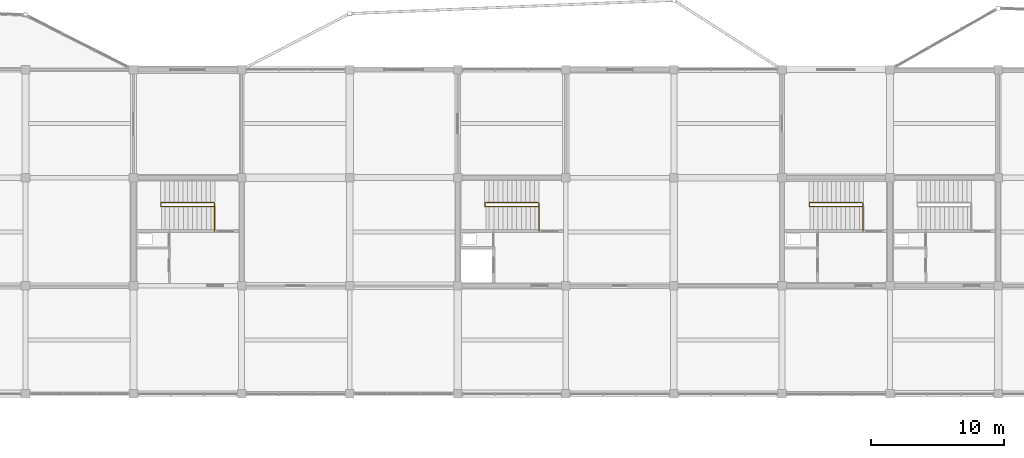
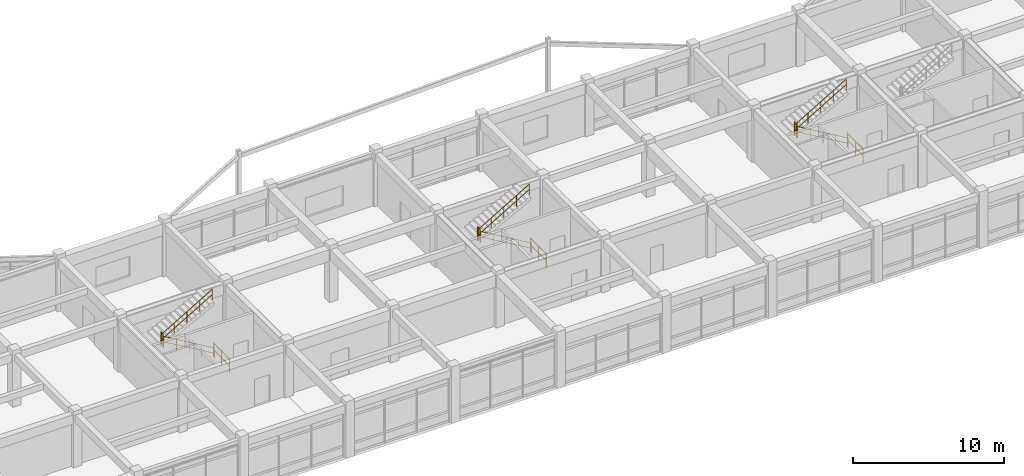
# One storey, part 88 of 93: 12 railings.
"""IFC4 building model written with IfcOpenShell, lengths in metres."""

from ifc_helpers import new_model, si_unit, direction, frame, origin, origin_2d, place, context, subcontext, project, spatial, circle, extrude, material, type_object, element, save


model = new_model("IFC4")

# Units and contexts
model_context = context("Model", 3, precision=1e-05, world=origin(), true_north=direction((0.0, 1.0)))
body_context = subcontext(model_context, "Body", "Model", "MODEL_VIEW")
ifc_project = project(units=[si_unit("LENGTHUNIT", "METRE"), si_unit("AREAUNIT", "SQUARE_METRE"), si_unit("VOLUMEUNIT", "CUBIC_METRE"), si_unit("PLANEANGLEUNIT", "RADIAN"), si_unit("MASSUNIT", "GRAM", prefix="KILO")], contexts=[model_context])

# Site, building, storey
site_placement = place(None, origin())
site = spatial("IfcSite", under=ifc_project, at=site_placement, CompositionType="ELEMENT")
building_placement = place(site_placement, origin())
building = spatial("IfcBuilding", under=site, at=building_placement, Name="Vaudrelin Polytechnic", CompositionType="ELEMENT")
storey_placement = place(building_placement, frame((0.0, 0.0, 5.10009765625)))
storey = spatial("IfcBuildingStorey", under=building, at=storey_placement, Name="L01", CompositionType="ELEMENT", Elevation=5.10009765625)

# Railings
ifc_material = material(Name="Brushed stainless steel AISI 304", Category="steel")
railing_type_1 = type_object("IfcRailingType", Name="RAL-GR-INT", PredefinedType="GUARDRAIL", material=ifc_material)
railing_1_placement = place(storey_placement, frame((87.080078125, 109.409912109375, 0.0)))
element("IfcRailing", 1, at=railing_1_placement, inside=storey, type_object=railing_type_1, Name="ST-02-L00 upper well guardrail", PredefinedType="GUARDRAIL", context=body_context, shape_type="SweptSolid", body=[
    extrude(circle(Radius=0.02392578125, at=origin_2d()), frame((0.0, 0.023193359375, 1.09619140625), z_axis=(0.0, 1.0, 0.0), x_axis=(-1.0, 0.0, 0.0)), (0.0, 0.0, 1.0), 2.02392578125),
    extrude(circle(Radius=0.02392578125, at=origin_2d()), frame((0.0, 0.023193359375, 0.56005859375), z_axis=(0.0, 1.0, 0.0), x_axis=(-1.0, 0.0, 0.0)), (0.0, 0.0, 1.0), 2.02392578125),
    extrude(circle(Radius=0.02099609375, at=origin_2d()), origin(), (0.0, 0.0, 1.0), 1.1201171875),
    extrude(circle(Radius=0.02099609375, at=origin_2d()), frame((0.0, 1.03515625, 0.0)), (0.0, 0.0, 1.0), 1.1201171875),
    extrude(circle(Radius=0.02099609375, at=origin_2d()), frame((0.0, 2.070068359375, 0.0)), (0.0, 0.0, 1.0), 1.1201171875),
])
railing_2_placement = place(storey_placement, frame((83.050048828125, 111.239990234375, 2.294921875)))
element("IfcRailing", 2, at=railing_2_placement, inside=storey, type_object=railing_type_1, Name="ST-02-L01 landing well guardrail", PredefinedType="GUARDRAIL", context=body_context, shape_type="SweptSolid", body=[
    extrude(circle(Radius=0.02392578125, at=origin_2d()), frame((0.0, 0.023193359375, 1.09619140625), z_axis=(0.0, 1.0, 0.0), x_axis=(-1.0, 0.0, 0.0)), (0.0, 0.0, 1.0), 0.23388671875),
    extrude(circle(Radius=0.02392578125, at=origin_2d()), frame((0.0, 0.023193359375, 0.56005859375), z_axis=(0.0, 1.0, 0.0), x_axis=(-1.0, 0.0, 0.0)), (0.0, 0.0, 1.0), 0.23388671875),
    extrude(circle(Radius=0.02099609375, at=origin_2d()), origin(), (0.0, 0.0, 1.0), 1.1201171875),
    extrude(circle(Radius=0.02099609375, at=origin_2d()), frame((0.0, 0.280029296875, 0.0)), (0.0, 0.0, 1.0), 1.1201171875),
])
railing_3_placement = place(storey_placement, frame((62.780029296875, 109.409912109375, 0.0)))
element("IfcRailing", 3, at=railing_3_placement, inside=storey, type_object=railing_type_1, Name="ST-09-L00 upper well guardrail", PredefinedType="GUARDRAIL", context=body_context, shape_type="SweptSolid", body=[
    extrude(circle(Radius=0.02392578125, at=origin_2d()), frame((0.0, 0.023193359375, 1.09619140625), z_axis=(0.0, 1.0, 0.0), x_axis=(-1.0, 0.0, 0.0)), (0.0, 0.0, 1.0), 2.02392578125),
    extrude(circle(Radius=0.02392578125, at=origin_2d()), frame((0.0, 0.023193359375, 0.56005859375), z_axis=(0.0, 1.0, 0.0), x_axis=(-1.0, 0.0, 0.0)), (0.0, 0.0, 1.0), 2.02392578125),
    extrude(circle(Radius=0.02099609375, at=origin_2d()), origin(), (0.0, 0.0, 1.0), 1.1201171875),
    extrude(circle(Radius=0.02099609375, at=origin_2d()), frame((0.0, 1.03515625, 0.0)), (0.0, 0.0, 1.0), 1.1201171875),
    extrude(circle(Radius=0.02099609375, at=origin_2d()), frame((0.0, 2.070068359375, 0.0)), (0.0, 0.0, 1.0), 1.1201171875),
])
railing_4_placement = place(storey_placement, frame((58.75, 111.239990234375, 2.294921875)))
element("IfcRailing", 4, at=railing_4_placement, inside=storey, type_object=railing_type_1, Name="ST-09-L01 landing well guardrail", PredefinedType="GUARDRAIL", context=body_context, shape_type="SweptSolid", body=[
    extrude(circle(Radius=0.02392578125, at=origin_2d()), frame((0.0, 0.023193359375, 1.09619140625), z_axis=(0.0, 1.0, 0.0), x_axis=(-1.0, 0.0, 0.0)), (0.0, 0.0, 1.0), 0.23388671875),
    extrude(circle(Radius=0.02392578125, at=origin_2d()), frame((0.0, 0.023193359375, 0.56005859375), z_axis=(0.0, 1.0, 0.0), x_axis=(-1.0, 0.0, 0.0)), (0.0, 0.0, 1.0), 0.23388671875),
    extrude(circle(Radius=0.02099609375, at=origin_2d()), origin(), (0.0, 0.0, 1.0), 1.1201171875),
    extrude(circle(Radius=0.02099609375, at=origin_2d()), frame((0.0, 0.280029296875, 0.0)), (0.0, 0.0, 1.0), 1.1201171875),
])
railing_5_placement = place(storey_placement, frame((111.3798828125, 109.409912109375, 0.0)))
element("IfcRailing", 5, at=railing_5_placement, inside=storey, type_object=railing_type_1, Name="ST-11-L00 upper well guardrail", PredefinedType="GUARDRAIL", context=body_context, shape_type="SweptSolid", body=[
    extrude(circle(Radius=0.02392578125, at=origin_2d()), frame((0.0, 0.023193359375, 1.09619140625), z_axis=(0.0, 1.0, 0.0), x_axis=(-1.0, 0.0, 0.0)), (0.0, 0.0, 1.0), 2.02392578125),
    extrude(circle(Radius=0.02392578125, at=origin_2d()), frame((0.0, 0.023193359375, 0.56005859375), z_axis=(0.0, 1.0, 0.0), x_axis=(-1.0, 0.0, 0.0)), (0.0, 0.0, 1.0), 2.02392578125),
    extrude(circle(Radius=0.02099609375, at=origin_2d()), origin(), (0.0, 0.0, 1.0), 1.1201171875),
    extrude(circle(Radius=0.02099609375, at=origin_2d()), frame((0.0, 1.03515625, 0.0)), (0.0, 0.0, 1.0), 1.1201171875),
    extrude(circle(Radius=0.02099609375, at=origin_2d()), frame((0.0, 2.070068359375, 0.0)), (0.0, 0.0, 1.0), 1.1201171875),
])
railing_6_placement = place(storey_placement, frame((107.35009765625, 111.239990234375, 2.294921875)))
element("IfcRailing", 6, at=railing_6_placement, inside=storey, type_object=railing_type_1, Name="ST-11-L01 landing well guardrail", PredefinedType="GUARDRAIL", context=body_context, shape_type="SweptSolid", body=[
    extrude(circle(Radius=0.02392578125, at=origin_2d()), frame((0.0, 0.023193359375, 1.09619140625), z_axis=(0.0, 1.0, 0.0), x_axis=(-1.0, 0.0, 0.0)), (0.0, 0.0, 1.0), 0.23388671875),
    extrude(circle(Radius=0.02392578125, at=origin_2d()), frame((0.0, 0.023193359375, 0.56005859375), z_axis=(0.0, 1.0, 0.0), x_axis=(-1.0, 0.0, 0.0)), (0.0, 0.0, 1.0), 0.23388671875),
    extrude(circle(Radius=0.02099609375, at=origin_2d()), origin(), (0.0, 0.0, 1.0), 1.1201171875),
    extrude(circle(Radius=0.02099609375, at=origin_2d()), frame((0.0, 0.280029296875, 0.0)), (0.0, 0.0, 1.0), 1.1201171875),
])
railing_type_2 = type_object("IfcRailingType", Name="RAL-HR-STR", PredefinedType="HANDRAIL", material=ifc_material)
railing_7_placement = place(storey_placement, frame((87.0, 111.22998046875, 0.0)))
element("IfcRailing", 7, at=railing_7_placement, inside=storey, type_object=railing_type_2, Name="ST-02-L01 flight 1 handrail", PredefinedType="HANDRAIL", context=body_context, shape_type="SweptSolid", body=[
    extrude(circle(Radius=0.02392578125, at=origin_2d()), frame((-0.019775390625, 0.0, 0.90771484375), z_axis=(-0.861280376615, 0.0, 0.508130015702), x_axis=(0.0, -1.0, 0.0)), (0.0, 0.0, 1.0), 4.47021484375),
    extrude(circle(Radius=0.02392578125, at=origin_2d()), frame((-0.019775390625, 0.0, 0.4716796875), z_axis=(-0.861280376615, 0.0, 0.508130015702), x_axis=(0.0, -1.0, 0.0)), (0.0, 0.0, 1.0), 4.47021484375),
    extrude(circle(Radius=0.02099609375, at=origin_2d()), origin(), (0.0, 0.0, 1.0), 0.919921875),
    extrude(circle(Radius=0.02099609375, at=origin_2d()), frame((-0.972412109375, 0.0, 0.57373046875)), (0.0, 0.0, 1.0), 0.919921875),
    extrude(circle(Radius=0.02099609375, at=origin_2d()), frame((-1.94482421875, 0.0, 1.1474609375)), (0.0, 0.0, 1.0), 0.919921875),
    extrude(circle(Radius=0.02099609375, at=origin_2d()), frame((-2.91748046875, 0.0, 1.72119140625)), (0.0, 0.0, 1.0), 0.919921875),
    extrude(circle(Radius=0.02099609375, at=origin_2d()), frame((-3.889892578125, 0.0, 2.294921875)), (0.0, 0.0, 1.0), 0.919921875),
])
railing_8_placement = place(storey_placement, frame((83.110107421875, 111.530029296875, 2.294921875)))
element("IfcRailing", 8, at=railing_8_placement, inside=storey, type_object=railing_type_2, Name="ST-02-L01 flight 2 handrail", PredefinedType="HANDRAIL", context=body_context, shape_type="SweptSolid", body=[
    extrude(circle(Radius=0.02392578125, at=origin_2d()), frame((0.019775390625, 0.0, 0.90771484375), z_axis=(0.861280376615, 0.0, 0.508130015702), x_axis=(0.0, 1.0, 0.0)), (0.0, 0.0, 1.0), 4.47021484375),
    extrude(circle(Radius=0.02392578125, at=origin_2d()), frame((0.019775390625, 0.0, 0.4716796875), z_axis=(0.861280376615, 0.0, 0.508130015702), x_axis=(0.0, 1.0, 0.0)), (0.0, 0.0, 1.0), 4.47021484375),
    extrude(circle(Radius=0.02099609375, at=origin_2d()), origin(), (0.0, 0.0, 1.0), 0.919921875),
    extrude(circle(Radius=0.02099609375, at=origin_2d()), frame((0.972412109375, 0.0, 0.57373046875)), (0.0, 0.0, 1.0), 0.919921875),
    extrude(circle(Radius=0.02099609375, at=origin_2d()), frame((1.94482421875, 0.0, 1.1474609375)), (0.0, 0.0, 1.0), 0.919921875),
    extrude(circle(Radius=0.02099609375, at=origin_2d()), frame((2.91748046875, 0.0, 1.72119140625)), (0.0, 0.0, 1.0), 0.919921875),
    extrude(circle(Radius=0.02099609375, at=origin_2d()), frame((3.889892578125, 0.0, 2.294921875)), (0.0, 0.0, 1.0), 0.919921875),
])
railing_9_placement = place(storey_placement, frame((62.699951171875, 111.22998046875, 0.0)))
element("IfcRailing", 9, at=railing_9_placement, inside=storey, type_object=railing_type_2, Name="ST-09-L01 flight 1 handrail", PredefinedType="HANDRAIL", context=body_context, shape_type="SweptSolid", body=[
    extrude(circle(Radius=0.02392578125, at=origin_2d()), frame((-0.019775390625, 0.0, 0.90771484375), z_axis=(-0.861280376615, 0.0, 0.508130015702), x_axis=(0.0, -1.0, 0.0)), (0.0, 0.0, 1.0), 4.47021484375),
    extrude(circle(Radius=0.02392578125, at=origin_2d()), frame((-0.019775390625, 0.0, 0.4716796875), z_axis=(-0.861280376615, 0.0, 0.508130015702), x_axis=(0.0, -1.0, 0.0)), (0.0, 0.0, 1.0), 4.47021484375),
    extrude(circle(Radius=0.02099609375, at=origin_2d()), origin(), (0.0, 0.0, 1.0), 0.919921875),
    extrude(circle(Radius=0.02099609375, at=origin_2d()), frame((-0.972412109375, 0.0, 0.57373046875)), (0.0, 0.0, 1.0), 0.919921875),
    extrude(circle(Radius=0.02099609375, at=origin_2d()), frame((-1.94482421875, 0.0, 1.1474609375)), (0.0, 0.0, 1.0), 0.919921875),
    extrude(circle(Radius=0.02099609375, at=origin_2d()), frame((-2.91748046875, 0.0, 1.72119140625)), (0.0, 0.0, 1.0), 0.919921875),
    extrude(circle(Radius=0.02099609375, at=origin_2d()), frame((-3.889892578125, 0.0, 2.294921875)), (0.0, 0.0, 1.0), 0.919921875),
])
railing_10_placement = place(storey_placement, frame((58.81005859375, 111.530029296875, 2.294921875)))
element("IfcRailing", 10, at=railing_10_placement, inside=storey, type_object=railing_type_2, Name="ST-09-L01 flight 2 handrail", PredefinedType="HANDRAIL", context=body_context, shape_type="SweptSolid", body=[
    extrude(circle(Radius=0.02392578125, at=origin_2d()), frame((0.019775390625, 0.0, 0.90771484375), z_axis=(0.861280376615, 0.0, 0.508130015702), x_axis=(0.0, 1.0, 0.0)), (0.0, 0.0, 1.0), 4.47021484375),
    extrude(circle(Radius=0.02392578125, at=origin_2d()), frame((0.019775390625, 0.0, 0.4716796875), z_axis=(0.861280376615, 0.0, 0.508130015702), x_axis=(0.0, 1.0, 0.0)), (0.0, 0.0, 1.0), 4.47021484375),
    extrude(circle(Radius=0.02099609375, at=origin_2d()), origin(), (0.0, 0.0, 1.0), 0.919921875),
    extrude(circle(Radius=0.02099609375, at=origin_2d()), frame((0.972412109375, 0.0, 0.57373046875)), (0.0, 0.0, 1.0), 0.919921875),
    extrude(circle(Radius=0.02099609375, at=origin_2d()), frame((1.94482421875, 0.0, 1.1474609375)), (0.0, 0.0, 1.0), 0.919921875),
    extrude(circle(Radius=0.02099609375, at=origin_2d()), frame((2.91748046875, 0.0, 1.72119140625)), (0.0, 0.0, 1.0), 0.919921875),
    extrude(circle(Radius=0.02099609375, at=origin_2d()), frame((3.889892578125, 0.0, 2.294921875)), (0.0, 0.0, 1.0), 0.919921875),
])
railing_11_placement = place(storey_placement, frame((111.300048828125, 111.22998046875, 0.0)))
element("IfcRailing", 11, at=railing_11_placement, inside=storey, type_object=railing_type_2, Name="ST-11-L01 flight 1 handrail", PredefinedType="HANDRAIL", context=body_context, shape_type="SweptSolid", body=[
    extrude(circle(Radius=0.02392578125, at=origin_2d()), frame((-0.019775390625, 0.0, 0.90771484375), z_axis=(-0.861294332789, 0.0, 0.508106359245), x_axis=(0.0, -1.0, 0.0)), (0.0, 0.0, 1.0), 4.470458984375),
    extrude(circle(Radius=0.02392578125, at=origin_2d()), frame((-0.019775390625, 0.0, 0.4716796875), z_axis=(-0.861294332789, 0.0, 0.508106359245), x_axis=(0.0, -1.0, 0.0)), (0.0, 0.0, 1.0), 4.470458984375),
    extrude(circle(Radius=0.02099609375, at=origin_2d()), origin(), (0.0, 0.0, 1.0), 0.919921875),
    extrude(circle(Radius=0.02099609375, at=origin_2d()), frame((-0.97265625, 0.0, 0.57373046875)), (0.0, 0.0, 1.0), 0.919921875),
    extrude(circle(Radius=0.02099609375, at=origin_2d()), frame((-1.945068359375, 0.0, 1.1474609375)), (0.0, 0.0, 1.0), 0.919921875),
    extrude(circle(Radius=0.02099609375, at=origin_2d()), frame((-2.91748046875, 0.0, 1.72119140625)), (0.0, 0.0, 1.0), 0.919921875),
    extrude(circle(Radius=0.02099609375, at=origin_2d()), frame((-3.89013671875, 0.0, 2.294921875)), (0.0, 0.0, 1.0), 0.919921875),
])
railing_12_placement = place(storey_placement, frame((107.409912109375, 111.530029296875, 2.294921875)))
element("IfcRailing", 12, at=railing_12_placement, inside=storey, type_object=railing_type_2, Name="ST-11-L01 flight 2 handrail", PredefinedType="HANDRAIL", context=body_context, shape_type="SweptSolid", body=[
    extrude(circle(Radius=0.02392578125, at=origin_2d()), frame((0.019775390625, 0.0, 0.90771484375), z_axis=(0.861294332789, 0.0, 0.508106359245), x_axis=(0.0, 1.0, 0.0)), (0.0, 0.0, 1.0), 4.470458984375),
    extrude(circle(Radius=0.02392578125, at=origin_2d()), frame((0.019775390625, 0.0, 0.4716796875), z_axis=(0.861294332789, 0.0, 0.508106359245), x_axis=(0.0, 1.0, 0.0)), (0.0, 0.0, 1.0), 4.470458984375),
    extrude(circle(Radius=0.02099609375, at=origin_2d()), origin(), (0.0, 0.0, 1.0), 0.919921875),
    extrude(circle(Radius=0.02099609375, at=origin_2d()), frame((0.97265625, 0.0, 0.57373046875)), (0.0, 0.0, 1.0), 0.919921875),
    extrude(circle(Radius=0.02099609375, at=origin_2d()), frame((1.945068359375, 0.0, 1.1474609375)), (0.0, 0.0, 1.0), 0.919921875),
    extrude(circle(Radius=0.02099609375, at=origin_2d()), frame((2.91748046875, 0.0, 1.72119140625)), (0.0, 0.0, 1.0), 0.919921875),
    extrude(circle(Radius=0.02099609375, at=origin_2d()), frame((3.89013671875, 0.0, 2.294921875)), (0.0, 0.0, 1.0), 0.919921875),
])

save(model, "model.ifc")
